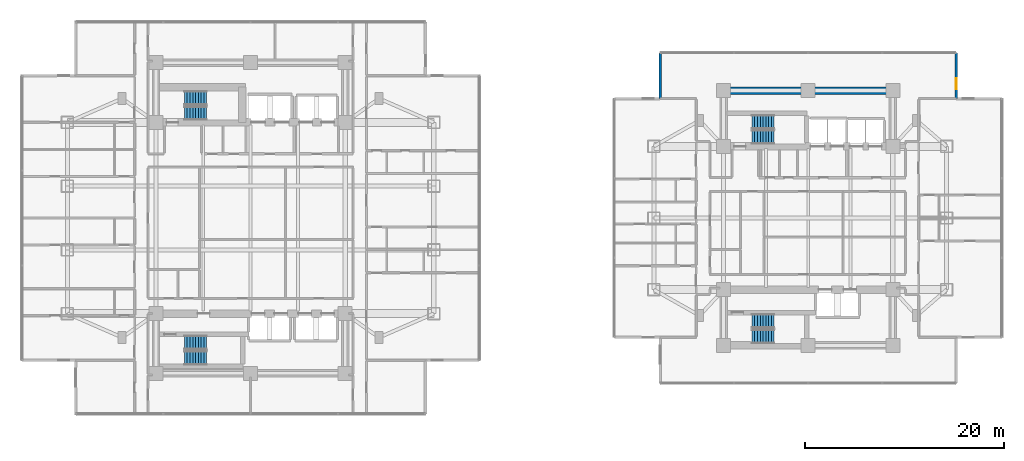
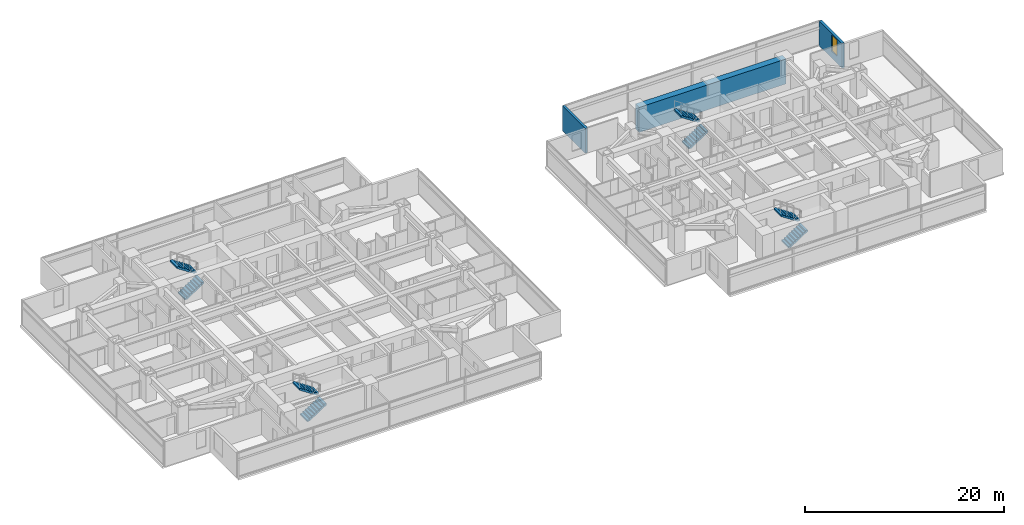
# One storey, part 21 of 26: 8 stair flights, 3 walls, 1 window, 1 opening, 4 elements without a shape of their own.
"""IFC4 building model written with IfcOpenShell, lengths in metres."""

from ifc_helpers import new_model, si_unit, direction, frame, frame_2d, origin, place, context, subcontext, project, spatial, polyline, rectangle, outline, extrude, material, layer, layer_set, type_object, element, fill, aggregate, save


model = new_model("IFC4")

# Units and contexts
model_context = context("Model", 3, precision=1e-05, world=origin(), true_north=direction((0.0, 1.0)))
body_context = subcontext(model_context, "Body", "Model", "MODEL_VIEW")
ifc_project = project(units=[si_unit("LENGTHUNIT", "METRE"), si_unit("AREAUNIT", "SQUARE_METRE"), si_unit("VOLUMEUNIT", "CUBIC_METRE"), si_unit("PLANEANGLEUNIT", "RADIAN"), si_unit("MASSUNIT", "GRAM", prefix="KILO")], contexts=[model_context])

# Site, building, storey
site_placement = place(None, origin())
site = spatial("IfcSite", under=ifc_project, at=site_placement, CompositionType="ELEMENT")
building_placement = place(site_placement, origin())
building = spatial("IfcBuilding", under=site, at=building_placement, Name="Mirazonda Arch Towers", CompositionType="ELEMENT")
storey_placement = place(building_placement, frame((0.0, 0.0, 45.5)))
storey = spatial("IfcBuildingStorey", under=building, at=storey_placement, Name="L12", CompositionType="ELEMENT", Elevation=45.5)

# Wall
ifc_material_1 = material(Name="Concrete C60/75", Category="concrete")
ifc_layer_1 = layer(ifc_material_1, 0.75, Name="WALL-CORE-750")
ifc_layer_set_1 = layer_set([ifc_layer_1], Name="Concrete C60/75")
wall_type_1 = type_object("IfcWallType", Name="WALL-CORE-750", PredefinedType="SHEAR", material=ifc_layer_set_1)
wall_1_placement = place(storey_placement, frame((68.0, 40.800048828125, 0.0), z_axis=(0.0, 0.0, 1.0), x_axis=(1.0, 0.0, 0.0)))
element("IfcWall", 1, at=wall_1_placement, inside=storey, type_object=wall_type_1, Name="L12 T2N-N Core Shear Wall", PredefinedType="SHEAR", context=body_context, shape_type="SweptSolid", body=[
    extrude(rectangle(XDim=17.0, YDim=0.75, at=frame_2d((8.5, 0.0))), origin(), (0.0, 0.0, 1.0), 3.06005859375),
])

# Wall, opening, window
ifc_material_2 = material(Name="Precast Concrete C40/50", Category="concrete")
ifc_layer_2 = layer(ifc_material_2, 0.280029296875, Name="WALL-EXT-WALL-280")
ifc_layer_set_2 = layer_set([ifc_layer_2], Name="Precast Concrete C40/50")
wall_type_2 = type_object("IfcWallType", Name="WALL-EXT-WALL-280", PredefinedType="SOLIDWALL", material=ifc_layer_set_2)
wall_2_placement = place(storey_placement, frame((91.365966796875, 39.983154296875, 0.0), z_axis=(0.0, 0.0, 1.0), x_axis=(0.0, 1.0, 0.0)))
wall_2 = element("IfcWall", 2, at=wall_2_placement, inside=storey, type_object=wall_type_2, Name="L12 T2 Notched NE Corner Wall WL-L12-T2-CNE", PredefinedType="SOLIDWALL", context=body_context, shape_type="SweptSolid", body=[
    extrude(rectangle(XDim=4.579833984375, YDim=0.280029296875, at=frame_2d((2.2900390625, 0.0))), origin(), (0.0, 0.0, 1.0), 3.0400390625),
])
opening_placement = place(wall_2_placement, frame((0.949951171875, 0.0, 0.85009765625)))
opening = element("IfcOpeningElement", 3, at=opening_placement, cuts=wall_2, Name="Opening WN-108", PredefinedType="OPENING", context=body_context, shape_type="SweptSolid", body=[
    extrude(rectangle(XDim=1.10009765625, YDim=2.0, at=frame_2d((0.550048828125, 1.0))), frame((0.0, 0.14990234375, 0.0), z_axis=(0.0, -1.0, 0.0), x_axis=(1.0, 0.0, 0.0)), (0.0, 0.0, 1.0), 0.300048828125),
])
ifc_material_3 = material(Name="Insulated Low-E Solar Glass", Category="glass")
window_type = type_object("IfcWindowType", Name="WIN-NOTCH-1100x2000", PartitioningType="SINGLE_PANEL", PredefinedType="WINDOW", material=ifc_material_3)
window_placement = place(opening_placement, origin())
window = element("IfcWindow", 4, at=window_placement, inside=storey, type_object=window_type, Name="L12 Punched Facade Window WN-L12-T2-CNE", OverallHeight=2.0, OverallWidth=1.10009765625, PartitioningType="SINGLE_PANEL", PredefinedType="WINDOW", context=body_context, shape_type="SweptSolid", body=[
    extrude(rectangle(XDim=1.10009765625, YDim=2.0, at=frame_2d((0.550048828125, 1.0))), frame((0.0, 0.030029296875, 0.0), z_axis=(0.0, -1.0, 0.0), x_axis=(1.0, 0.0, 0.0)), (0.0, 0.0, 1.0), 0.06005859375),
])
fill(opening, window)

# Wall
wall_3_placement = place(storey_placement, frame((61.634033203125, 44.56298828125, 0.0), z_axis=(0.0, 0.0, 1.0), x_axis=(0.0, -1.0, 0.0)))
element("IfcWall", 5, at=wall_3_placement, inside=storey, type_object=wall_type_2, Name="L12 T2 Corner Notch Return Wall WL-L12-T2-CNW2", PredefinedType="SOLIDWALL", context=body_context, shape_type="SweptSolid", body=[
    extrude(rectangle(XDim=4.579833984375, YDim=0.280029296875, at=frame_2d((2.2900390625, 0.0))), origin(), (0.0, 0.0, 1.0), 3.0400390625),
])

# Stair, stair flights
ifc_material_4 = material(Name="Concrete C40/50", Category="concrete")
stair_type = type_object("IfcStairType", Name="STAIR-CORE-1400", PredefinedType="HALF_TURN_STAIR", material=ifc_material_4)
stair_1_placement = place(storey_placement, origin())
stair_1 = element("IfcStair", 6, at=stair_1_placement, inside=storey, type_object=stair_type, Name="L12 Protected Exit Stair ST-T1N", PredefinedType="HALF_TURN_STAIR")
stair_flight_type = type_object("IfcStairFlightType", Name="FLIGHT-1400", PredefinedType="STRAIGHT", material=ifc_material_4)
stair_flight_1_placement = place(storey_placement, frame((13.85009765625, 38.52001953125, 0.0), z_axis=(0.0, 0.0, 1.0), x_axis=(1.0, 0.0, 0.0)))
stair_flight_1 = element("IfcStairFlight", 7, at=stair_flight_1_placement, type_object=stair_flight_type, Name="ST-T1N flight 1", NumberOfRisers=9, NumberOfTreads=8, PredefinedType="STRAIGHT", RiserHeight=0.183333333, TreadLength=0.28, context=body_context, shape_type="SweptSolid", body=[
    extrude(outline(polyline([(0.0, 0.0), (0.0, 0.183349609375), (0.280029296875, 0.183349609375), (0.280029296875, 0.36669921875), (0.56005859375, 0.36669921875), (0.56005859375, 0.550048828125), (0.840087890625, 0.550048828125), (0.840087890625, 0.7333984375), (1.1201171875, 0.7333984375), (1.1201171875, 0.916748046875), (1.39990234375, 0.916748046875), (1.39990234375, 1.10009765625), (1.679931640625, 1.10009765625), (1.679931640625, 1.283447265625), (1.9599609375, 1.283447265625), (1.9599609375, 1.466552734375), (2.239990234375, 1.466552734375), (2.239990234375, 1.64990234375), (2.239990234375, 1.275634765625), (0.2919921875, 0.0), (0.0, 0.0)])), frame((0.0, 0.699951171875, 0.0), z_axis=(0.0, -1.0, 0.0), x_axis=(1.0, 0.0, 0.0)), (0.0, 0.0, 1.0), 1.39990234375),
])
stair_flight_2_placement = place(storey_placement, frame((16.090087890625, 40.06005859375, 1.64990234375), z_axis=(0.0, 0.0, 1.0), x_axis=(-1.0, 0.0, 0.0)))
stair_flight_2 = element("IfcStairFlight", 8, at=stair_flight_2_placement, type_object=stair_flight_type, Name="ST-T1N flight 2", NumberOfRisers=9, NumberOfTreads=8, PredefinedType="STRAIGHT", RiserHeight=0.183333333, TreadLength=0.28, context=body_context, shape_type="SweptSolid", body=[
    extrude(outline(polyline([(0.0, 0.0), (0.0, 0.183349609375), (0.280029296875, 0.183349609375), (0.280029296875, 0.36669921875), (0.56005859375, 0.36669921875), (0.56005859375, 0.550048828125), (0.840087890625, 0.550048828125), (0.840087890625, 0.7333984375), (1.1201171875, 0.7333984375), (1.1201171875, 0.916748046875), (1.39990234375, 0.916748046875), (1.39990234375, 1.10009765625), (1.679931640625, 1.10009765625), (1.679931640625, 1.283447265625), (1.9599609375, 1.283447265625), (1.9599609375, 1.466552734375), (2.239990234375, 1.466552734375), (2.239990234375, 1.64990234375), (2.239990234375, 1.275634765625), (0.2919921875, 0.0), (0.0, 0.0)])), frame((0.0, 0.699951171875, 0.0), z_axis=(0.0, -1.0, 0.0), x_axis=(1.0, 0.0, 0.0)), (0.0, 0.0, 1.0), 1.39990234375),
])
aggregate(stair_1, [stair_flight_1, stair_flight_2])

stair_2_placement = place(storey_placement, origin())
stair_2 = element("IfcStair", 9, at=stair_2_placement, inside=storey, type_object=stair_type, Name="L12 Protected Exit Stair ST-T1S", PredefinedType="HALF_TURN_STAIR")
stair_flight_3_placement = place(storey_placement, frame((13.85009765625, 13.949951171875, 0.0), z_axis=(0.0, 0.0, 1.0), x_axis=(1.0, 0.0, 0.0)))
stair_flight_3 = element("IfcStairFlight", 10, at=stair_flight_3_placement, type_object=stair_flight_type, Name="ST-T1S flight 1", NumberOfRisers=9, NumberOfTreads=8, PredefinedType="STRAIGHT", RiserHeight=0.183333333, TreadLength=0.28, context=body_context, shape_type="SweptSolid", body=[
    extrude(outline(polyline([(0.0, 0.0), (0.0, 0.183349609375), (0.280029296875, 0.183349609375), (0.280029296875, 0.36669921875), (0.56005859375, 0.36669921875), (0.56005859375, 0.550048828125), (0.840087890625, 0.550048828125), (0.840087890625, 0.7333984375), (1.1201171875, 0.7333984375), (1.1201171875, 0.916748046875), (1.39990234375, 0.916748046875), (1.39990234375, 1.10009765625), (1.679931640625, 1.10009765625), (1.679931640625, 1.283447265625), (1.9599609375, 1.283447265625), (1.9599609375, 1.466552734375), (2.239990234375, 1.466552734375), (2.239990234375, 1.64990234375), (2.239990234375, 1.275634765625), (0.2919921875, 0.0), (0.0, 0.0)])), frame((0.0, 0.699951171875, 0.0), z_axis=(0.0, -1.0, 0.0), x_axis=(1.0, 0.0, 0.0)), (0.0, 0.0, 1.0), 1.39990234375),
])
stair_flight_4_placement = place(storey_placement, frame((16.090087890625, 15.489990234375, 1.64990234375), z_axis=(0.0, 0.0, 1.0), x_axis=(-1.0, 0.0, 0.0)))
stair_flight_4 = element("IfcStairFlight", 11, at=stair_flight_4_placement, type_object=stair_flight_type, Name="ST-T1S flight 2", NumberOfRisers=9, NumberOfTreads=8, PredefinedType="STRAIGHT", RiserHeight=0.183333333, TreadLength=0.28, context=body_context, shape_type="SweptSolid", body=[
    extrude(outline(polyline([(0.0, 0.0), (0.0, 0.183349609375), (0.280029296875, 0.183349609375), (0.280029296875, 0.36669921875), (0.56005859375, 0.36669921875), (0.56005859375, 0.550048828125), (0.840087890625, 0.550048828125), (0.840087890625, 0.7333984375), (1.1201171875, 0.7333984375), (1.1201171875, 0.916748046875), (1.39990234375, 0.916748046875), (1.39990234375, 1.10009765625), (1.679931640625, 1.10009765625), (1.679931640625, 1.283447265625), (1.9599609375, 1.283447265625), (1.9599609375, 1.466552734375), (2.239990234375, 1.466552734375), (2.239990234375, 1.64990234375), (2.239990234375, 1.275634765625), (0.2919921875, 0.0), (0.0, 0.0)])), frame((0.0, 0.699951171875, 0.0), z_axis=(0.0, -1.0, 0.0), x_axis=(1.0, 0.0, 0.0)), (0.0, 0.0, 1.0), 1.39990234375),
])
aggregate(stair_2, [stair_flight_3, stair_flight_4])

stair_3_placement = place(storey_placement, origin())
stair_3 = element("IfcStair", 12, at=stair_3_placement, inside=storey, type_object=stair_type, Name="L12 Protected Exit Stair ST-T2N", PredefinedType="HALF_TURN_STAIR")
stair_flight_5_placement = place(storey_placement, frame((70.85009765625, 36.1201171875, 0.0), z_axis=(0.0, 0.0, 1.0), x_axis=(1.0, 0.0, 0.0)))
stair_flight_5 = element("IfcStairFlight", 13, at=stair_flight_5_placement, type_object=stair_flight_type, Name="ST-T2N flight 1", NumberOfRisers=9, NumberOfTreads=8, PredefinedType="STRAIGHT", RiserHeight=0.183333333, TreadLength=0.28, context=body_context, shape_type="SweptSolid", body=[
    extrude(outline(polyline([(0.0, 0.0), (0.0, 0.183349609375), (0.280029296875, 0.183349609375), (0.280029296875, 0.36669921875), (0.56005859375, 0.36669921875), (0.56005859375, 0.550048828125), (0.840087890625, 0.550048828125), (0.840087890625, 0.7333984375), (1.1201171875, 0.7333984375), (1.1201171875, 0.916748046875), (1.39990234375, 0.916748046875), (1.39990234375, 1.10009765625), (1.679931640625, 1.10009765625), (1.679931640625, 1.283447265625), (1.9599609375, 1.283447265625), (1.9599609375, 1.466552734375), (2.239990234375, 1.466552734375), (2.239990234375, 1.64990234375), (2.239990234375, 1.275634765625), (0.2919921875, 0.0), (0.0, 0.0)])), frame((0.0, 0.699951171875, 0.0), z_axis=(0.0, -1.0, 0.0), x_axis=(1.0, 0.0, 0.0)), (0.0, 0.0, 1.0), 1.39990234375),
])
stair_flight_6_placement = place(storey_placement, frame((73.090087890625, 37.659912109375, 1.64990234375), z_axis=(0.0, 0.0, 1.0), x_axis=(-1.0, 0.0, 0.0)))
stair_flight_6 = element("IfcStairFlight", 14, at=stair_flight_6_placement, type_object=stair_flight_type, Name="ST-T2N flight 2", NumberOfRisers=9, NumberOfTreads=8, PredefinedType="STRAIGHT", RiserHeight=0.183333333, TreadLength=0.28, context=body_context, shape_type="SweptSolid", body=[
    extrude(outline(polyline([(0.0, 0.0), (0.0, 0.183349609375), (0.280029296875, 0.183349609375), (0.280029296875, 0.36669921875), (0.56005859375, 0.36669921875), (0.56005859375, 0.550048828125), (0.840087890625, 0.550048828125), (0.840087890625, 0.7333984375), (1.1201171875, 0.7333984375), (1.1201171875, 0.916748046875), (1.39990234375, 0.916748046875), (1.39990234375, 1.10009765625), (1.679931640625, 1.10009765625), (1.679931640625, 1.283447265625), (1.9599609375, 1.283447265625), (1.9599609375, 1.466552734375), (2.239990234375, 1.466552734375), (2.239990234375, 1.64990234375), (2.239990234375, 1.275634765625), (0.2919921875, 0.0), (0.0, 0.0)])), frame((0.0, 0.699951171875, 0.0), z_axis=(0.0, -1.0, 0.0), x_axis=(1.0, 0.0, 0.0)), (0.0, 0.0, 1.0), 1.39990234375),
])
aggregate(stair_3, [stair_flight_5, stair_flight_6])

stair_4_placement = place(storey_placement, origin())
stair_4 = element("IfcStair", 15, at=stair_4_placement, inside=storey, type_object=stair_type, Name="L12 Protected Exit Stair ST-T2S", PredefinedType="HALF_TURN_STAIR")
stair_flight_7_placement = place(storey_placement, frame((70.85009765625, 16.1201171875, 0.0), z_axis=(0.0, 0.0, 1.0), x_axis=(1.0, 0.0, 0.0)))
stair_flight_7 = element("IfcStairFlight", 16, at=stair_flight_7_placement, type_object=stair_flight_type, Name="ST-T2S flight 1", NumberOfRisers=9, NumberOfTreads=8, PredefinedType="STRAIGHT", RiserHeight=0.183333333, TreadLength=0.28, context=body_context, shape_type="SweptSolid", body=[
    extrude(outline(polyline([(0.0, 0.0), (0.0, 0.183349609375), (0.280029296875, 0.183349609375), (0.280029296875, 0.36669921875), (0.56005859375, 0.36669921875), (0.56005859375, 0.550048828125), (0.840087890625, 0.550048828125), (0.840087890625, 0.7333984375), (1.1201171875, 0.7333984375), (1.1201171875, 0.916748046875), (1.39990234375, 0.916748046875), (1.39990234375, 1.10009765625), (1.679931640625, 1.10009765625), (1.679931640625, 1.283447265625), (1.9599609375, 1.283447265625), (1.9599609375, 1.466552734375), (2.239990234375, 1.466552734375), (2.239990234375, 1.64990234375), (2.239990234375, 1.275634765625), (0.2919921875, 0.0), (0.0, 0.0)])), frame((0.0, 0.699951171875, 0.0), z_axis=(0.0, -1.0, 0.0), x_axis=(1.0, 0.0, 0.0)), (0.0, 0.0, 1.0), 1.39990234375),
])
stair_flight_8_placement = place(storey_placement, frame((73.090087890625, 17.659912109375, 1.64990234375), z_axis=(0.0, 0.0, 1.0), x_axis=(-1.0, 0.0, 0.0)))
stair_flight_8 = element("IfcStairFlight", 17, at=stair_flight_8_placement, type_object=stair_flight_type, Name="ST-T2S flight 2", NumberOfRisers=9, NumberOfTreads=8, PredefinedType="STRAIGHT", RiserHeight=0.183333333, TreadLength=0.28, context=body_context, shape_type="SweptSolid", body=[
    extrude(outline(polyline([(0.0, 0.0), (0.0, 0.183349609375), (0.280029296875, 0.183349609375), (0.280029296875, 0.36669921875), (0.56005859375, 0.36669921875), (0.56005859375, 0.550048828125), (0.840087890625, 0.550048828125), (0.840087890625, 0.7333984375), (1.1201171875, 0.7333984375), (1.1201171875, 0.916748046875), (1.39990234375, 0.916748046875), (1.39990234375, 1.10009765625), (1.679931640625, 1.10009765625), (1.679931640625, 1.283447265625), (1.9599609375, 1.283447265625), (1.9599609375, 1.466552734375), (2.239990234375, 1.466552734375), (2.239990234375, 1.64990234375), (2.239990234375, 1.275634765625), (0.2919921875, 0.0), (0.0, 0.0)])), frame((0.0, 0.699951171875, 0.0), z_axis=(0.0, -1.0, 0.0), x_axis=(1.0, 0.0, 0.0)), (0.0, 0.0, 1.0), 1.39990234375),
])
aggregate(stair_4, [stair_flight_7, stair_flight_8])

save(model, "model.ifc")
